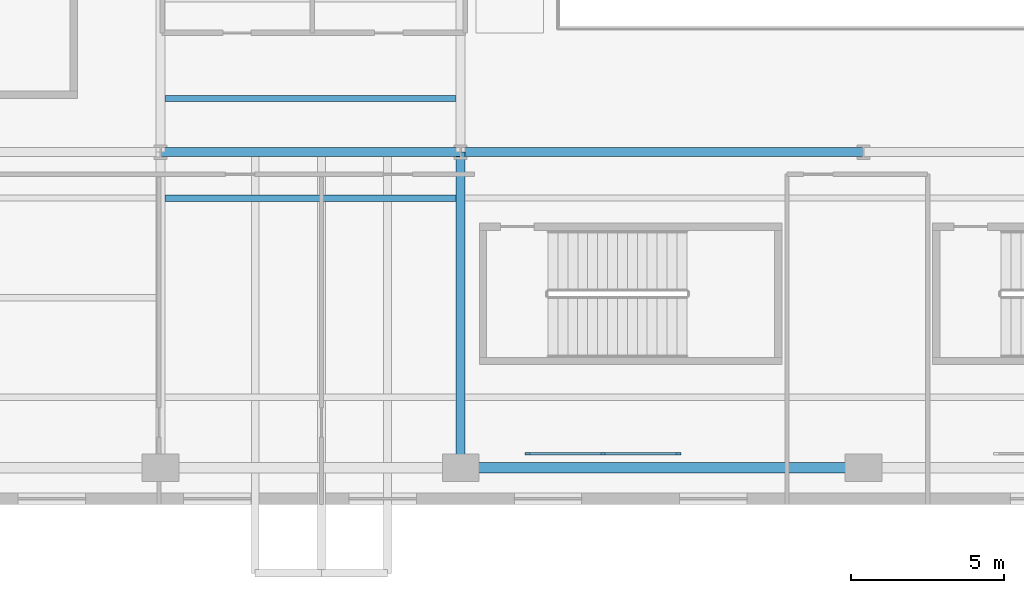
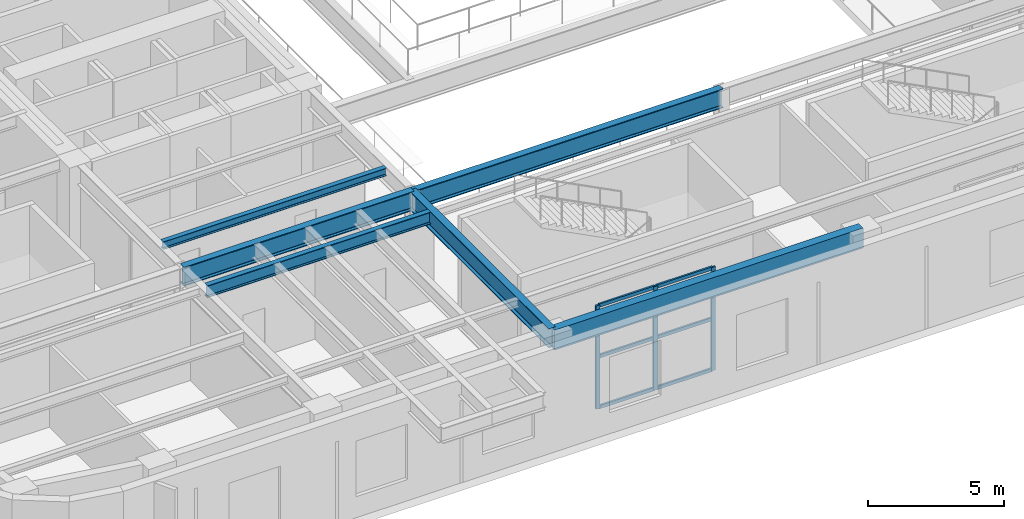
# One storey, part 2 of 24: 9 members, 6 beams, 1 element without a shape of its own.
"""IFC4 building model written with IfcOpenShell, lengths in metres."""

from ifc_helpers import new_model, si_unit, direction, frame, origin, origin_2d, place, context, subcontext, project, spatial, rectangle, hollow_rectangle, i_section, extrude, material, material_profile, profile_set, type_object, element, aggregate, save


model = new_model("IFC4")

# Units and contexts
model_context = context("Model", 3, precision=1e-05, world=origin(), true_north=direction((0.0, 1.0)))
body_context = subcontext(model_context, "Body", "Model", "MODEL_VIEW")
ifc_project = project(units=[si_unit("LENGTHUNIT", "METRE"), si_unit("AREAUNIT", "SQUARE_METRE"), si_unit("VOLUMEUNIT", "CUBIC_METRE"), si_unit("PLANEANGLEUNIT", "RADIAN"), si_unit("MASSUNIT", "GRAM", prefix="KILO")], contexts=[model_context])

# Site, building, storey
site_placement = place(None, origin())
site = spatial("IfcSite", under=ifc_project, at=site_placement, CompositionType="ELEMENT")
building_placement = place(site_placement, origin())
building = spatial("IfcBuilding", under=site, at=building_placement, Name="Kolvaren Arena Tower", CompositionType="ELEMENT")
storey_placement = place(building_placement, frame((0.0, 0.0, 23.0)))
storey = spatial("IfcBuildingStorey", under=building, at=storey_placement, Name="L04", CompositionType="ELEMENT", Elevation=23.0)

# Beam
ifc_material_1 = material(Name="Steel CSA G40.21 350W", Category="steel")
ifc_material_profile_1 = material_profile(ifc_material_1, i_section(OverallWidth=0.2119140625, OverallDepth=0.54296875, WebThickness=0.01318359375, FlangeThickness=0.0244140625, FilletRadius=0.013916015625, at=origin_2d()), Name="W530x150")
ifc_profile_set_1 = profile_set([ifc_material_profile_1], Name="Steel CSA G40.21 350W")
beam_type_1 = type_object("IfcBeamType", Name="BEAM-F1", PredefinedType="BEAM", material=ifc_profile_set_1)
beam_1_placement = place(storey_placement, frame((14.696044921875, 10.0, 4.37841796875), z_axis=(1.0, 0.0, 0.0), x_axis=(0.0, 1.0, 0.0)))
element("IfcBeam", 1, at=beam_1_placement, inside=storey, type_object=beam_type_1, Name="Composite Floor Beam (L04)", PredefinedType="BEAM", context=body_context, shape_type="SweptSolid", body=[
    extrude(i_section(OverallWidth=0.2119140625, OverallDepth=0.54296875, WebThickness=0.01318359375, FlangeThickness=0.0244140625, FilletRadius=0.013916015625, at=origin_2d()), origin(), (0.0, 0.0, 1.0), 9.508056640625),
])

# Curtain wall, members
ifc_material_2 = material(Name="Anodised aluminium unitised curtain wall", Category="aluminium")
curtain_wall_type = type_object("IfcCurtainWallType", Name="CW-SYS-06", PredefinedType="USERDEFINED", material=ifc_material_2)
curtain_wall_placement = place(storey_placement, origin())
curtain_wall = element("IfcCurtainWall", 2, at=curtain_wall_placement, inside=storey, type_object=curtain_wall_type, Name="Wintergarden Glazed Curtain Wall (L04)", ObjectType="UNITISED CURTAIN WALL", PredefinedType="USERDEFINED")
ifc_material_3 = material(Name="Anodised aluminium 6063-T6", Category="aluminium")
ifc_material_profile_2 = material_profile(ifc_material_3, rectangle(XDim=0.080078125, YDim=0.179931640625, at=origin_2d()), Name="ALU-80x180")
ifc_profile_set_2 = profile_set([ifc_material_profile_2], Name="Anodised aluminium 6063-T6")
member_type_1 = type_object("IfcMemberType", Name="CWM-STD", PredefinedType="MULLION", material=ifc_profile_set_2)
member_1_placement = place(storey_placement, frame((26.5400390625, 1.64990234375, 0.0), z_axis=(0.0, 0.0, 1.0), x_axis=(0.0, 1.0, 0.0)))
member_1 = element("IfcMember", 3, at=member_1_placement, type_object=member_type_1, Name="CW6 mullion 1", PredefinedType="MULLION", context=body_context, shape_type="SweptSolid", body=[
    extrude(rectangle(XDim=0.080078125, YDim=0.179931640625, at=origin_2d()), origin(), (0.0, 0.0, 1.0), 4.64990234375),
])
member_2_placement = place(storey_placement, frame((29.0, 1.64990234375, 0.0), z_axis=(0.0, 0.0, 1.0), x_axis=(0.0, 1.0, 0.0)))
member_2 = element("IfcMember", 4, at=member_2_placement, type_object=member_type_1, Name="CW6 mullion 2", PredefinedType="MULLION", context=body_context, shape_type="SweptSolid", body=[
    extrude(rectangle(XDim=0.080078125, YDim=0.179931640625, at=origin_2d()), origin(), (0.0, 0.0, 1.0), 4.64990234375),
])
member_3_placement = place(storey_placement, frame((31.4599609375, 1.64990234375, 0.0), z_axis=(0.0, 0.0, 1.0), x_axis=(0.0, 1.0, 0.0)))
member_3 = element("IfcMember", 5, at=member_3_placement, type_object=member_type_1, Name="CW6 mullion 3", PredefinedType="MULLION", context=body_context, shape_type="SweptSolid", body=[
    extrude(rectangle(XDim=0.080078125, YDim=0.179931640625, at=origin_2d()), origin(), (0.0, 0.0, 1.0), 4.64990234375),
])
ifc_material_profile_3 = material_profile(ifc_material_3, rectangle(XDim=0.080078125, YDim=0.14990234375, at=origin_2d()), Name="ALU-80x150")
ifc_profile_set_3 = profile_set([ifc_material_profile_3], Name="Anodised aluminium 6063-T6")
member_type_2 = type_object("IfcMemberType", Name="CWT-STD", PredefinedType="USERDEFINED", material=ifc_profile_set_3)
member_4_placement = place(storey_placement, frame((26.580078125, 1.64990234375, 0.0400390625), z_axis=(1.0, 0.0, 0.0), x_axis=(0.0, 1.0, 0.0)))
member_4 = element("IfcMember", 6, at=member_4_placement, type_object=member_type_2, Name="CW6 transom 1.1", ObjectType="TRANSOM", PredefinedType="USERDEFINED", context=body_context, shape_type="SweptSolid", body=[
    extrude(rectangle(XDim=0.080078125, YDim=0.14990234375, at=origin_2d()), origin(), (0.0, 0.0, 1.0), 2.3798828125),
])
member_5_placement = place(storey_placement, frame((26.580078125, 1.64990234375, 2.324951171875), z_axis=(1.0, 0.0, 0.0), x_axis=(0.0, 1.0, 0.0)))
member_5 = element("IfcMember", 7, at=member_5_placement, type_object=member_type_2, Name="CW6 transom 1.2", ObjectType="TRANSOM", PredefinedType="USERDEFINED", context=body_context, shape_type="SweptSolid", body=[
    extrude(rectangle(XDim=0.080078125, YDim=0.14990234375, at=origin_2d()), origin(), (0.0, 0.0, 1.0), 2.3798828125),
])
member_6_placement = place(storey_placement, frame((26.580078125, 1.64990234375, 4.610107421875), z_axis=(1.0, 0.0, 0.0), x_axis=(0.0, 1.0, 0.0)))
member_6 = element("IfcMember", 8, at=member_6_placement, type_object=member_type_2, Name="CW6 transom 1.3", ObjectType="TRANSOM", PredefinedType="USERDEFINED", context=body_context, shape_type="SweptSolid", body=[
    extrude(rectangle(XDim=0.080078125, YDim=0.14990234375, at=origin_2d()), origin(), (0.0, 0.0, 1.0), 2.3798828125),
])
member_7_placement = place(storey_placement, frame((29.0400390625, 1.64990234375, 0.0400390625), z_axis=(1.0, 0.0, 0.0), x_axis=(0.0, 1.0, 0.0)))
member_7 = element("IfcMember", 9, at=member_7_placement, type_object=member_type_2, Name="CW6 transom 2.1", ObjectType="TRANSOM", PredefinedType="USERDEFINED", context=body_context, shape_type="SweptSolid", body=[
    extrude(rectangle(XDim=0.080078125, YDim=0.14990234375, at=origin_2d()), origin(), (0.0, 0.0, 1.0), 2.3798828125),
])
member_8_placement = place(storey_placement, frame((29.0400390625, 1.64990234375, 2.324951171875), z_axis=(1.0, 0.0, 0.0), x_axis=(0.0, 1.0, 0.0)))
member_8 = element("IfcMember", 10, at=member_8_placement, type_object=member_type_2, Name="CW6 transom 2.2", ObjectType="TRANSOM", PredefinedType="USERDEFINED", context=body_context, shape_type="SweptSolid", body=[
    extrude(rectangle(XDim=0.080078125, YDim=0.14990234375, at=origin_2d()), origin(), (0.0, 0.0, 1.0), 2.3798828125),
])
member_9_placement = place(storey_placement, frame((29.0400390625, 1.64990234375, 4.610107421875), z_axis=(1.0, 0.0, 0.0), x_axis=(0.0, 1.0, 0.0)))
member_9 = element("IfcMember", 11, at=member_9_placement, type_object=member_type_2, Name="CW6 transom 2.3", ObjectType="TRANSOM", PredefinedType="USERDEFINED", context=body_context, shape_type="SweptSolid", body=[
    extrude(rectangle(XDim=0.080078125, YDim=0.14990234375, at=origin_2d()), origin(), (0.0, 0.0, 1.0), 2.3798828125),
])
aggregate(curtain_wall, [member_1, member_2, member_3, member_4, member_5, member_6, member_7, member_8, member_9])

# Beams
ifc_material_profile_4 = material_profile(ifc_material_1, i_section(OverallWidth=0.2919921875, OverallDepth=0.85498046875, WebThickness=0.02099609375, FlangeThickness=0.03564453125, FilletRadius=0.01806640625, at=origin_2d()), Name="W840x299")
ifc_profile_set_4 = profile_set([ifc_material_profile_4], Name="Steel CSA G40.21 350W")
beam_type_2 = type_object("IfcBeamType", Name="GIRD-P1", PredefinedType="BEAM", material=ifc_profile_set_4)
beam_2_placement = place(storey_placement, frame((14.550048828125, 11.5, 4.222412109375), z_axis=(1.0, 0.0, 0.0), x_axis=(0.0, 1.0, 0.0)))
element("IfcBeam", 12, at=beam_2_placement, inside=storey, type_object=beam_type_2, Name="Primary Floor Girder (L04)", PredefinedType="BEAM", context=body_context, shape_type="SweptSolid", body=[
    extrude(i_section(OverallWidth=0.2919921875, OverallDepth=0.85498046875, WebThickness=0.02099609375, FlangeThickness=0.03564453125, FilletRadius=0.01806640625, at=origin_2d()), origin(), (0.0, 0.0, 1.0), 9.800048828125),
])
beam_3_placement = place(storey_placement, frame((24.35009765625, 11.5, 4.222412109375), z_axis=(1.0, 0.0, 0.0), x_axis=(0.0, 1.0, 0.0)))
element("IfcBeam", 13, at=beam_3_placement, inside=storey, type_object=beam_type_2, Name="Primary Floor Girder (L04)", PredefinedType="BEAM", context=body_context, shape_type="SweptSolid", body=[
    extrude(i_section(OverallWidth=0.2919921875, OverallDepth=0.85498046875, WebThickness=0.02099609375, FlangeThickness=0.03564453125, FilletRadius=0.01806640625, at=origin_2d()), origin(), (0.0, 0.0, 1.0), 13.14990234375),
])
beam_4_placement = place(storey_placement, frame((24.35009765625, 1.199951171875, 4.222412109375), z_axis=(0.0, 1.0, 0.0), x_axis=(-1.0, 0.0, 0.0)))
element("IfcBeam", 14, at=beam_4_placement, inside=storey, type_object=beam_type_2, Name="Primary Floor Girder (L04)", PredefinedType="BEAM", context=body_context, shape_type="SweptSolid", body=[
    extrude(i_section(OverallWidth=0.2919921875, OverallDepth=0.85498046875, WebThickness=0.02099609375, FlangeThickness=0.03564453125, FilletRadius=0.01806640625, at=origin_2d()), origin(), (0.0, 0.0, 1.0), 10.300048828125),
])
ifc_material_profile_5 = material_profile(ifc_material_1, i_section(OverallWidth=0.202880859375, OverallDepth=0.346923828125, WebThickness=0.0078125, FlangeThickness=0.013427734375, FilletRadius=0.010986328125, at=origin_2d()), Name="W360x64")
ifc_profile_set_5 = profile_set([ifc_material_profile_5], Name="Steel CSA G40.21 350W")
beam_type_3 = type_object("IfcBeamType", Name="JOIST-01", PredefinedType="JOIST", material=ifc_profile_set_5)
beam_5_placement = place(storey_placement, frame((14.696044921875, 13.25, 4.4765625), z_axis=(1.0, 0.0, 0.0), x_axis=(0.0, 1.0, 0.0)))
element("IfcBeam", 15, at=beam_5_placement, inside=storey, type_object=beam_type_3, Name="Composite Floor Joist (L04)", PredefinedType="JOIST", context=body_context, shape_type="SweptSolid", body=[
    extrude(i_section(OverallWidth=0.202880859375, OverallDepth=0.346923828125, WebThickness=0.0078125, FlangeThickness=0.013427734375, FilletRadius=0.010986328125, at=origin_2d()), origin(), (0.0, 0.0, 1.0), 9.508056640625),
])
ifc_material_4 = material(Name="Steel CSA G40.21 350WT", Category="steel")
ifc_material_profile_6 = material_profile(ifc_material_4, hollow_rectangle(XDim=0.35009765625, YDim=0.89990234375, WallThickness=0.02001953125, at=origin_2d()), Name="HSS 900x350x20")
ifc_profile_set_6 = profile_set([ifc_material_profile_6], Name="Steel CSA G40.21 350WT")
beam_type_4 = type_object("IfcBeamType", Name="SPAND-01", PredefinedType="SPANDREL", material=ifc_profile_set_6)
beam_6_placement = place(storey_placement, frame((24.35009765625, 1.199951171875, 4.199951171875), z_axis=(1.0, 0.0, 0.0), x_axis=(0.0, 1.0, 0.0)))
element("IfcBeam", 16, at=beam_6_placement, inside=storey, type_object=beam_type_4, Name="Perimeter Spandrel Beam (L04)", PredefinedType="SPANDREL", context=body_context, shape_type="SweptSolid", body=[
    extrude(hollow_rectangle(XDim=0.35009765625, YDim=0.89990234375, WallThickness=0.02001953125, at=origin_2d()), origin(), (0.0, 0.0, 1.0), 13.14990234375),
])

save(model, "model.ifc")
